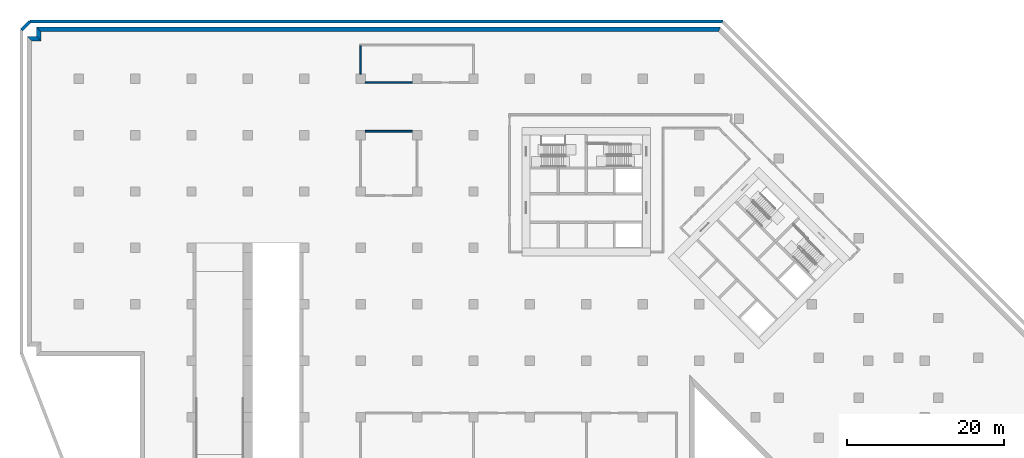
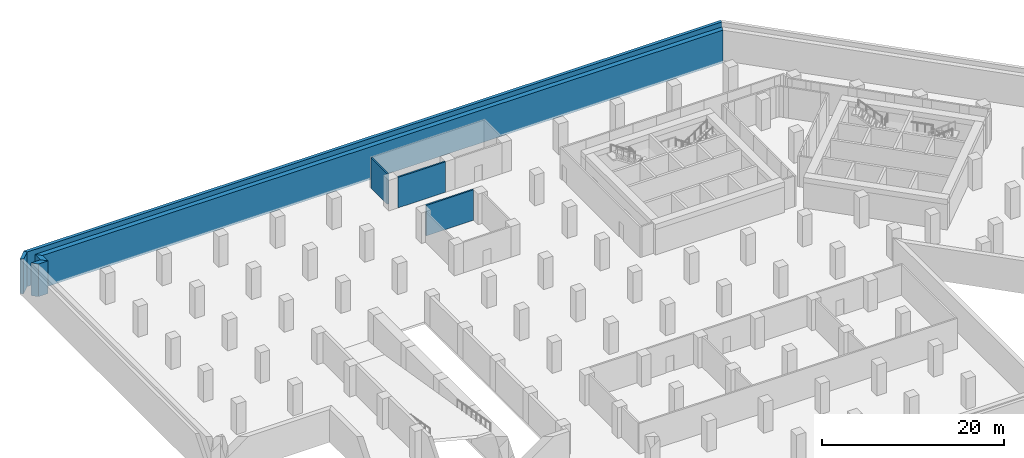
# One storey, part 7 of 11: 8 walls.
"""IFC4 building model written with IfcOpenShell, lengths in metres."""

from ifc_helpers import new_model, si_unit, direction, frame, frame_2d, origin, place, context, subcontext, project, spatial, polyline, rectangle, outline, extrude, material, layer, layer_set, type_object, element, save


model = new_model("IFC4")

# Units and contexts
model_context = context("Model", 3, precision=1e-05, world=origin(), true_north=direction((0.0, 1.0)))
body_context = subcontext(model_context, "Body", "Model", "MODEL_VIEW")
ifc_project = project(units=[si_unit("LENGTHUNIT", "METRE"), si_unit("AREAUNIT", "SQUARE_METRE"), si_unit("VOLUMEUNIT", "CUBIC_METRE"), si_unit("PLANEANGLEUNIT", "RADIAN"), si_unit("MASSUNIT", "GRAM", prefix="KILO")], contexts=[model_context])

# Site, building, storey
site_placement = place(None, origin())
site = spatial("IfcSite", under=ifc_project, at=site_placement, CompositionType="ELEMENT")
building_placement = place(site_placement, origin())
building = spatial("IfcBuilding", under=site, at=building_placement, Name="Windrow Commons", CompositionType="ELEMENT")
storey_placement = place(building_placement, frame((0.0, 0.0, -4.5)))
storey = spatial("IfcBuildingStorey", under=building, at=storey_placement, Name="B1", CompositionType="ELEMENT", Elevation=-4.5)

# Walls
ifc_material_1 = material(Name="Blockwork partition", Category="masonry")
ifc_layer_1 = layer(ifc_material_1, 0.2)
ifc_layer_set_1 = layer_set([ifc_layer_1], Name="CP-PART-200")
wall_type_1 = type_object("IfcWallType", Name="CP-PART-200", PredefinedType="PARTITIONING", material=ifc_layer_set_1)
wall_1_placement = place(storey_placement, frame((36.0, 72.6, 0.0), z_axis=(0.0, 0.0, 1.0), x_axis=(0.0, 1.0, 0.0)))
element("IfcWall", 1, at=wall_1_placement, inside=storey, type_object=wall_type_1, Name="Plant room wall 04", PredefinedType="PARTITIONING", context=body_context, shape_type="SweptSolid", body=[
    extrude(rectangle(XDim=3.6, YDim=0.2, at=frame_2d((1.8, 0.0))), origin(), (0.0, 0.0, 1.0), 4.1),
])
for number, where, z_axis, x_axis, name in (
    (2, (36.6, 65.3, 0.0), (0.0, 0.0, 1.0), (1.0, 0.0, 0.0), "Plant room wall 20"),
    (3, (36.6, 71.5, 0.0), (0.0, 0.0, 1.0), (1.0, 0.0, 0.0), "Plant room wall 21"),
):
    element("IfcWall", number, at=place(storey_placement, frame(where, z_axis=z_axis, x_axis=x_axis)), inside=storey, type_object=wall_type_1, Name=name, PredefinedType="PARTITIONING", context=body_context, shape_type="SweptSolid", body=[
        extrude(rectangle(XDim=6.0, YDim=0.2, at=frame_2d((3.0, 0.0))), origin(), (0.0, 0.0, 1.0), 4.1),
    ])
ifc_material_2 = material(Name="Concrete C40/50", Category="concrete")
ifc_layer_2 = layer(ifc_material_2, 0.4)
ifc_layer_set_2 = layer_set([ifc_layer_2], Name="RC RETAINING WALL 400 C40/50")
wall_type_2 = type_object("IfcWallType", Name="RC RETAINING WALL 400 C40/50", PredefinedType="SOLIDWALL", material=ifc_layer_set_2)
wall_2_placement = place(storey_placement, frame((-7.3, 78.2172, -0.3), z_axis=(0.0, 0.0, 1.0), x_axis=(0.7071067812, 0.7071067812, 0.0)))
element("IfcWall", 4, at=wall_2_placement, inside=storey, type_object=wall_type_2, Name="Retaining wall raft edge B1-013", PredefinedType="SOLIDWALL", context=body_context, shape_type="SweptSolid", body=[
    extrude(outline(polyline([(0.0414, -0.2), (1.4899, -0.2), (1.5728, 0.2), (-0.0414, 0.2), (0.0414, -0.2)])), origin(), (0.0, 0.0, 1.0), 4.65),
])
wall_3_placement = place(storey_placement, frame((-6.2172, 79.3, -0.3), z_axis=(0.0, 0.0, 1.0), x_axis=(1.0, 0.0, 0.0)))
element("IfcWall", 5, at=wall_3_placement, inside=storey, type_object=wall_type_2, Name="Retaining wall raft edge B1-014", PredefinedType="SOLIDWALL", context=body_context, shape_type="SweptSolid", body=[
    extrude(outline(polyline([(0.0414, -0.2), (88.3995, -0.2), (88.4823, 0.2), (-0.0414, 0.2), (0.0414, -0.2)])), origin(), (0.0, 0.0, 1.0), 4.65),
])
ifc_material_3 = material(Name="Concrete C40/50", Category="concrete")
ifc_layer_3 = layer(ifc_material_3, 0.6)
ifc_layer_set_3 = layer_set([ifc_layer_3], Name="RC RETAINING WALL 600 C40/50")
wall_type_3 = type_object("IfcWallType", Name="RC RETAINING WALL 600 C40/50", PredefinedType="SOLIDWALL", material=ifc_layer_set_3)
placement = place(storey_placement, frame((0.0, 0.0, -0.3)))
element("IfcWall", 6, at=placement, inside=storey, type_object=wall_type_3, Name="Retaining wall B1-10", PredefinedType="SOLIDWALL", context=body_context, shape_type="SweptSolid", body=[
    extrude(outline(polyline([(81.6853, 78.0), (-4.8, 78.0), (-5.4, 78.6), (81.9338, 78.6), (81.6853, 78.0)])), origin(), (0.0, 0.0, 1.0), 4.4),
])
element("IfcWall", 7, at=placement, inside=storey, type_object=wall_type_3, Name="Retaining wall B1-11", PredefinedType="SOLIDWALL", context=body_context, shape_type="SweptSolid", body=[
    extrude(outline(polyline([(-4.8, 78.0), (-4.8, 76.8), (-5.4, 77.4), (-5.4, 78.6), (-4.8, 78.0)])), origin(), (0.0, 0.0, 1.0), 4.4),
])
element("IfcWall", 8, at=placement, inside=storey, type_object=wall_type_3, Name="Retaining wall B1-12", PredefinedType="SOLIDWALL", context=body_context, shape_type="SweptSolid", body=[
    extrude(outline(polyline([(-4.8, 76.8), (-6.0, 76.8), (-6.6, 77.4), (-5.4, 77.4), (-4.8, 76.8)])), origin(), (0.0, 0.0, 1.0), 4.4),
])

save(model, "model.ifc")
